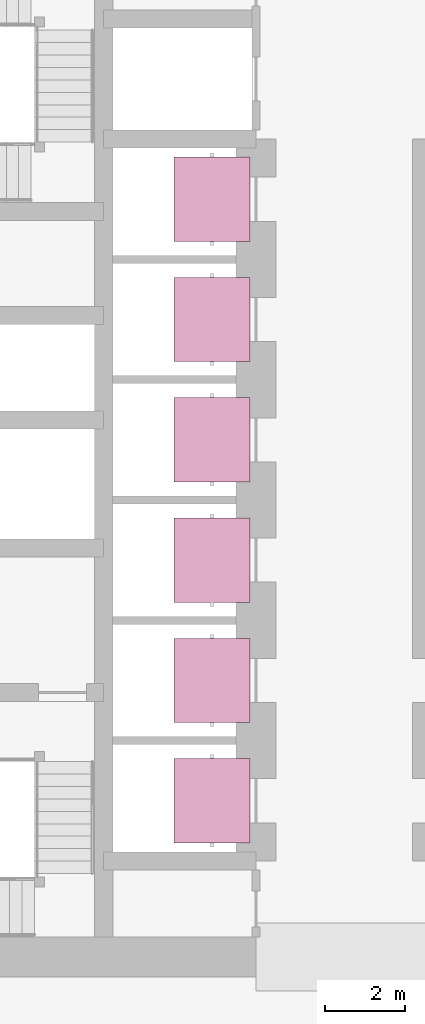
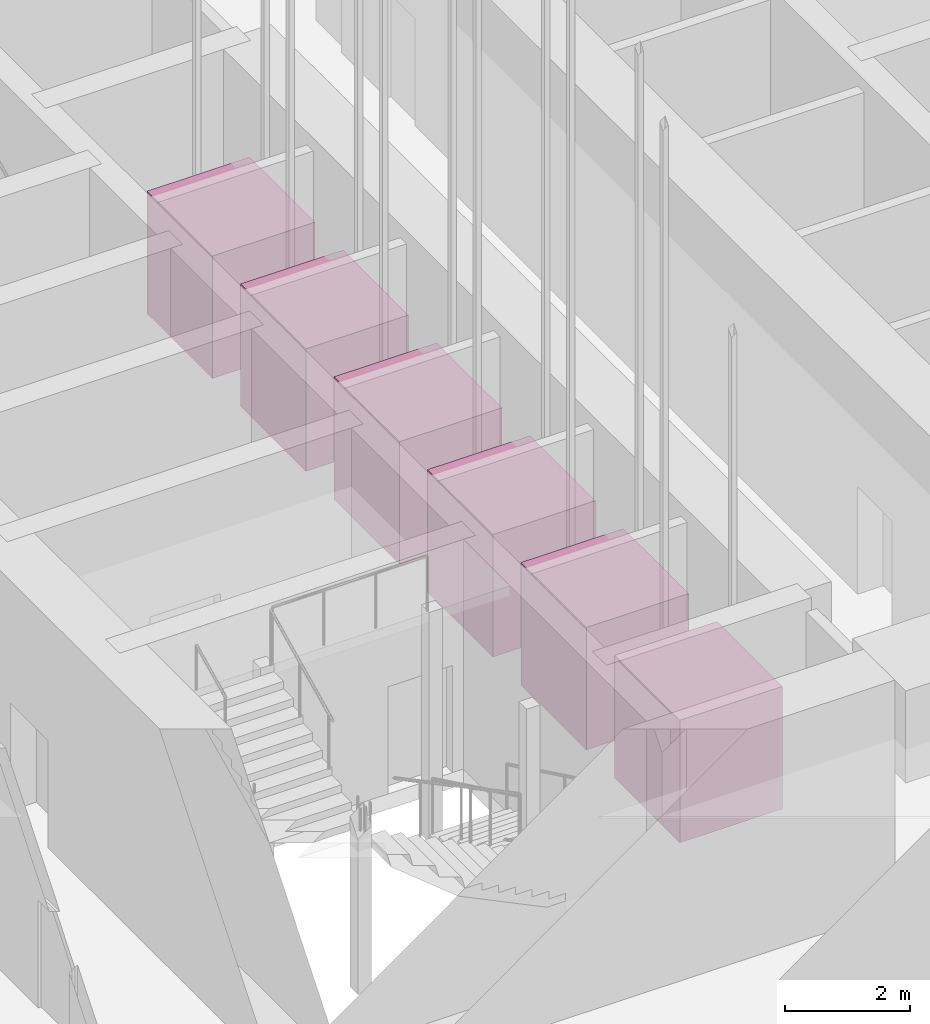
# One storey, part 32 of 44: 6 transport elements.
"""IFC4 building model written with IfcOpenShell, lengths in metres."""

from ifc_helpers import new_model, si_unit, direction, frame, origin, origin_2d, place, context, subcontext, project, spatial, rectangle, extrude, material, type_object, element, save


model = new_model("IFC4")

# Units and contexts
model_context = context("Model", 3, precision=1e-05, world=origin(), true_north=direction((0.0, 1.0)))
body_context = subcontext(model_context, "Body", "Model", "MODEL_VIEW")
ifc_project = project(units=[si_unit("LENGTHUNIT", "METRE"), si_unit("AREAUNIT", "SQUARE_METRE"), si_unit("VOLUMEUNIT", "CUBIC_METRE"), si_unit("PLANEANGLEUNIT", "RADIAN"), si_unit("MASSUNIT", "GRAM", prefix="KILO")], contexts=[model_context])

# Site, building, storey
site_placement = place(None, origin())
site = spatial("IfcSite", under=ifc_project, at=site_placement, CompositionType="ELEMENT")
building_placement = place(site_placement, origin())
building = spatial("IfcBuilding", under=site, at=building_placement, Name="Rekha Terrace Tower", CompositionType="ELEMENT")
storey_placement = place(building_placement, frame((0.0, 0.0, 90.800048828125)))
storey = spatial("IfcBuildingStorey", under=building, at=storey_placement, Name="L22", CompositionType="ELEMENT", Elevation=90.800048828125)

# Transport elements
ifc_material = material(Name="Steel car with stainless steel lining", Category="steel")
transport_element_type = type_object("IfcTransportElementType", Name="LP1 1600 kg passenger lift", PredefinedType="ELEVATOR", material=ifc_material)
for number, where, z_axis, x_axis, name in (
    (1, (34.5, 24.89990234375, 0.0), (0.0, 0.0, 1.0), (1.0, 0.0, 0.0), "Lift B1"),
    (2, (34.5, 27.89990234375, 0.0), (0.0, 0.0, 1.0), (1.0, 0.0, 0.0), "Lift B2"),
    (3, (34.5, 30.89990234375, 0.0), (0.0, 0.0, 1.0), (1.0, 0.0, 0.0), "Lift B3"),
    (4, (34.5, 33.89990234375, 0.0), (0.0, 0.0, 1.0), (1.0, 0.0, 0.0), "Lift B4"),
    (5, (34.5, 36.89990234375, 0.0), (0.0, 0.0, 1.0), (1.0, 0.0, 0.0), "Lift B5"),
    (6, (34.5, 39.89990234375, 0.0), (0.0, 0.0, 1.0), (1.0, 0.0, 0.0), "Lift B6"),
):
    element("IfcTransportElement", number, at=place(storey_placement, frame(where, z_axis=z_axis, x_axis=x_axis)), inside=storey, type_object=transport_element_type, Name=name, PredefinedType="ELEVATOR", context=body_context, shape_type="SweptSolid", body=[
        extrude(rectangle(XDim=1.89990234375, YDim=2.10009765625, at=origin_2d()), origin(), (0.0, 0.0, 1.0), 2.39990234375),
    ])

save(model, "model.ifc")
